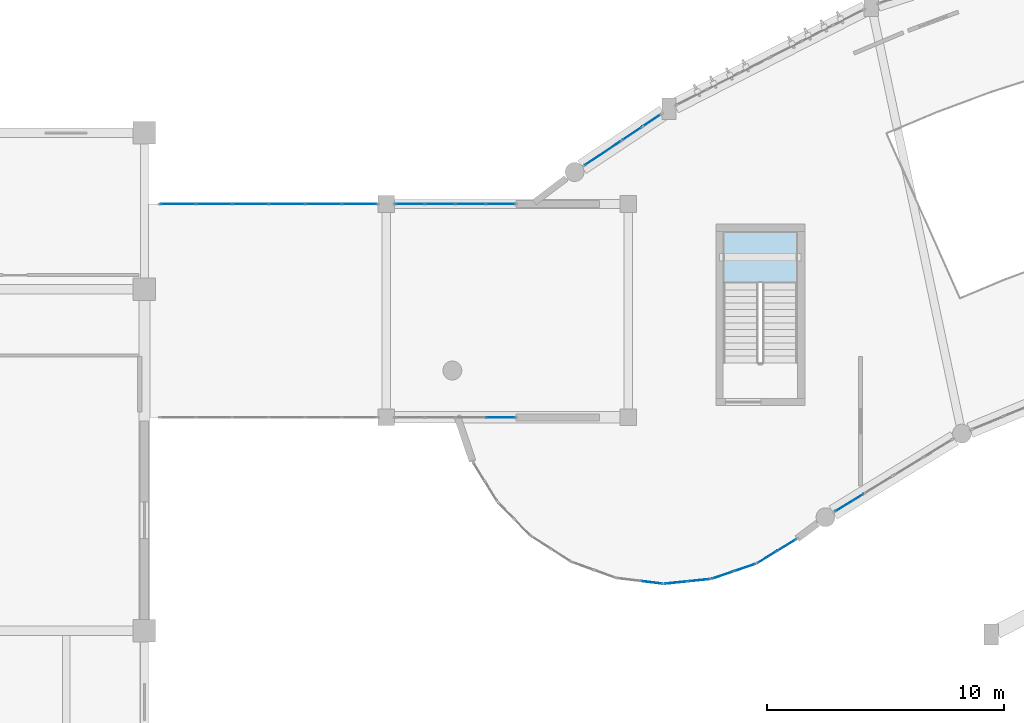
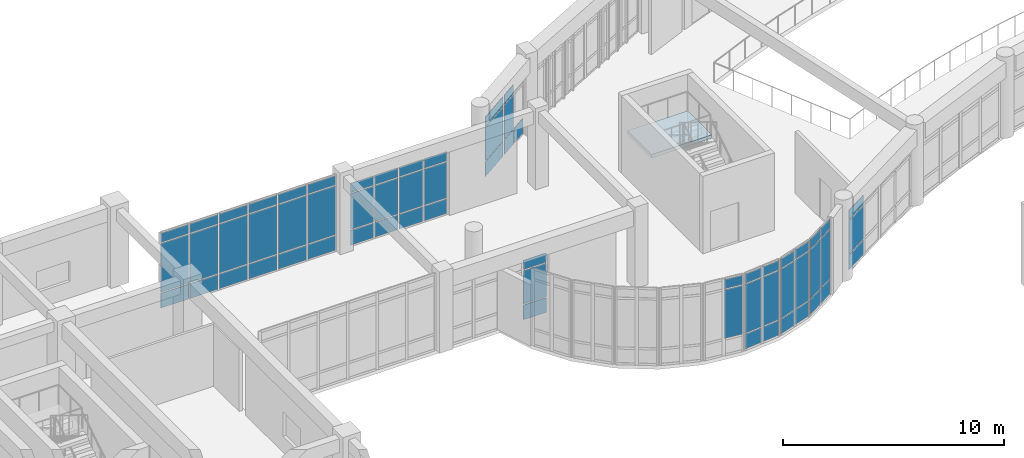
# One storey, part 33 of 57: 63 plates, 1 slab, 11 elements without a shape of their own.
"""IFC4 building model written with IfcOpenShell, lengths in metres."""

from ifc_helpers import new_model, si_unit, direction, frame, origin, origin_2d, place, context, subcontext, project, spatial, polyline, rectangle, outline, extrude, material, layer, layer_set, type_object, element, aggregate, save


model = new_model("IFC4")

# Units and contexts
model_context = context("Model", 3, precision=1e-05, world=origin(), true_north=direction((0.0, 1.0)))
body_context = subcontext(model_context, "Body", "Model", "MODEL_VIEW")
ifc_project = project(units=[si_unit("LENGTHUNIT", "METRE"), si_unit("AREAUNIT", "SQUARE_METRE"), si_unit("VOLUMEUNIT", "CUBIC_METRE"), si_unit("PLANEANGLEUNIT", "RADIAN"), si_unit("MASSUNIT", "GRAM", prefix="KILO")], contexts=[model_context])

# Site, building, storey
site_placement = place(None, origin())
site = spatial("IfcSite", under=ifc_project, at=site_placement, CompositionType="ELEMENT")
building_placement = place(site_placement, origin())
building = spatial("IfcBuilding", under=site, at=building_placement, Name="Miralva Faculty of Natural Sciences", CompositionType="ELEMENT")
storey_placement = place(building_placement, frame((0.0, 0.0, 15.0)))
storey = spatial("IfcBuildingStorey", under=building, at=storey_placement, Name="L03", CompositionType="ELEMENT", Elevation=15.0)

# Curtain wall, plates
ifc_material_1 = material(Name="Laminated solar-control glass", Category="glass")
ifc_layer_1 = layer(ifc_material_1, 0.179931640625, Name="CW-ARC-L03")
ifc_layer_set_1 = layer_set([ifc_layer_1], Name="Laminated solar-control glass")
curtain_wall_type_1 = type_object("IfcCurtainWallType", Name="CW-ARC-L03", PredefinedType="USERDEFINED", material=ifc_layer_set_1)
curtain_wall_1_placement = place(storey_placement, origin())
curtain_wall_1 = element("IfcCurtainWall", 1, at=curtain_wall_1_placement, inside=storey, type_object=curtain_wall_type_1, Name="Curtain wall CW-03 L03-109", ObjectType="UNITISED CURTAIN WALL", PredefinedType="USERDEFINED")
ifc_layer_2 = layer(ifc_material_1, 0.028076171875, Name="PNL-P01")
ifc_layer_set_2 = layer_set([ifc_layer_2], Name="Laminated solar-control glass")
plate_type = type_object("IfcPlateType", Name="PNL-P01", PredefinedType="CURTAIN_PANEL", material=ifc_layer_set_2)
plate_1_placement = place(storey_placement, frame((65.72998046875, 14.403564453125, 0.06494140625), z_axis=(0.0, 0.0, 1.0), x_axis=(0.852640729642, 0.522497642249, 0.0)))
plate_1 = element("IfcPlate", 2, at=plate_1_placement, type_object=plate_type, Name="CW-03 panel 1.1", PredefinedType="CURTAIN_PANEL", context=body_context, shape_type="SweptSolid", body=[
    extrude(rectangle(XDim=1.376953125, YDim=0.028076171875, at=origin_2d()), origin(), (0.0, 0.0, 1.0), 0.802490234375),
])
plate_2_placement = place(storey_placement, frame((65.72998046875, 14.403564453125, 0.9326171875), z_axis=(0.0, 0.0, 1.0), x_axis=(0.852640729642, 0.522497642249, 0.0)))
plate_2 = element("IfcPlate", 3, at=plate_2_placement, type_object=plate_type, Name="CW-03 panel 1.2", PredefinedType="CURTAIN_PANEL", context=body_context, shape_type="SweptSolid", body=[
    extrude(rectangle(XDim=1.376953125, YDim=0.028076171875, at=origin_2d()), origin(), (0.0, 0.0, 1.0), 1.840087890625),
])
plate_3_placement = place(storey_placement, frame((65.72998046875, 14.403564453125, 2.837646484375), z_axis=(0.0, 0.0, 1.0), x_axis=(0.852640729642, 0.522497642249, 0.0)))
plate_3 = element("IfcPlate", 4, at=plate_3_placement, type_object=plate_type, Name="CW-03 panel 1.3", PredefinedType="CURTAIN_PANEL", context=body_context, shape_type="SweptSolid", body=[
    extrude(rectangle(XDim=1.376953125, YDim=0.028076171875, at=origin_2d()), origin(), (0.0, 0.0, 1.0), 0.50244140625),
])
aggregate(curtain_wall_1, [plate_1, plate_2, plate_3])

curtain_wall_2_placement = place(storey_placement, origin())
curtain_wall_2 = element("IfcCurtainWall", 5, at=curtain_wall_2_placement, inside=storey, type_object=curtain_wall_type_1, Name="Curtain wall CW-03 L03-125", ObjectType="UNITISED CURTAIN WALL", PredefinedType="USERDEFINED")
plate_4_placement = place(storey_placement, frame((55.333984375, 29.14453125, 0.06005859375), z_axis=(0.0, 0.0, 1.0), x_axis=(0.831483840844, 0.555548937913, 0.0)))
plate_4 = element("IfcPlate", 6, at=plate_4_placement, type_object=plate_type, Name="CW-03 panel 1.1", PredefinedType="CURTAIN_PANEL", context=body_context, shape_type="SweptSolid", body=[
    extrude(rectangle(XDim=1.7998046875, YDim=0.028076171875, at=origin_2d()), origin(), (0.0, 0.0, 1.0), 0.81005859375),
])
plate_5_placement = place(storey_placement, frame((55.333984375, 29.14453125, 0.93017578125), z_axis=(0.0, 0.0, 1.0), x_axis=(0.831483840844, 0.555548937913, 0.0)))
plate_5 = element("IfcPlate", 7, at=plate_5_placement, type_object=plate_type, Name="CW-03 panel 1.2", PredefinedType="CURTAIN_PANEL", context=body_context, shape_type="SweptSolid", body=[
    extrude(rectangle(XDim=1.7998046875, YDim=0.028076171875, at=origin_2d()), origin(), (0.0, 0.0, 1.0), 1.844970703125),
])
plate_6_placement = place(storey_placement, frame((55.333984375, 29.14453125, 2.8349609375), z_axis=(0.0, 0.0, 1.0), x_axis=(0.831483840844, 0.555548937913, 0.0)))
plate_6 = element("IfcPlate", 8, at=plate_6_placement, type_object=plate_type, Name="CW-03 panel 1.3", PredefinedType="CURTAIN_PANEL", context=body_context, shape_type="SweptSolid", body=[
    extrude(rectangle(XDim=1.7998046875, YDim=0.028076171875, at=origin_2d()), origin(), (0.0, 0.0, 1.0), 0.510009765625),
])
aggregate(curtain_wall_2, [plate_4, plate_5, plate_6])

curtain_wall_3_placement = place(storey_placement, origin())
curtain_wall_3 = element("IfcCurtainWall", 9, at=curtain_wall_3_placement, inside=storey, type_object=curtain_wall_type_1, Name="Curtain wall CW-03 L03-126", ObjectType="UNITISED CURTAIN WALL", PredefinedType="USERDEFINED")
plate_7_placement = place(storey_placement, frame((56.57275390625, 29.97216796875, 0.06005859375), z_axis=(0.0, 0.0, 1.0), x_axis=(0.831458377074, 0.55558704736, 0.0)))
plate_7 = element("IfcPlate", 10, at=plate_7_placement, type_object=plate_type, Name="CW-03 panel 1.1", PredefinedType="CURTAIN_PANEL", context=body_context, shape_type="SweptSolid", body=[
    extrude(rectangle(XDim=0.929931640625, YDim=0.028076171875, at=origin_2d()), origin(), (0.0, 0.0, 1.0), 0.81005859375),
])
plate_8_placement = place(storey_placement, frame((56.57275390625, 29.97216796875, 0.93017578125), z_axis=(0.0, 0.0, 1.0), x_axis=(0.831458377074, 0.55558704736, 0.0)))
plate_8 = element("IfcPlate", 11, at=plate_8_placement, type_object=plate_type, Name="CW-03 panel 1.2", PredefinedType="CURTAIN_PANEL", context=body_context, shape_type="SweptSolid", body=[
    extrude(rectangle(XDim=0.929931640625, YDim=0.028076171875, at=origin_2d()), origin(), (0.0, 0.0, 1.0), 1.844970703125),
])
plate_9_placement = place(storey_placement, frame((56.57275390625, 29.97216796875, 2.8349609375), z_axis=(0.0, 0.0, 1.0), x_axis=(0.831458377074, 0.55558704736, 0.0)))
plate_9 = element("IfcPlate", 12, at=plate_9_placement, type_object=plate_type, Name="CW-03 panel 1.3", PredefinedType="CURTAIN_PANEL", context=body_context, shape_type="SweptSolid", body=[
    extrude(rectangle(XDim=0.929931640625, YDim=0.028076171875, at=origin_2d()), origin(), (0.0, 0.0, 1.0), 0.510009765625),
])
plate_10_placement = place(storey_placement, frame((57.400146484375, 30.52490234375, 0.06005859375), z_axis=(0.0, 0.0, 1.0), x_axis=(0.831458377074, 0.55558704736, 0.0)))
plate_10 = element("IfcPlate", 13, at=plate_10_placement, type_object=plate_type, Name="CW-03 panel 2.1", PredefinedType="CURTAIN_PANEL", context=body_context, shape_type="SweptSolid", body=[
    extrude(rectangle(XDim=0.929931640625, YDim=0.028076171875, at=origin_2d()), origin(), (0.0, 0.0, 1.0), 0.81005859375),
])
aggregate(curtain_wall_3, [plate_7, plate_8, plate_9, plate_10])

ifc_layer_3 = layer(ifc_material_1, 0.179931640625, Name="CW-RND-L03")
ifc_layer_set_3 = layer_set([ifc_layer_3], Name="Laminated solar-control glass")
curtain_wall_type_2 = type_object("IfcCurtainWallType", Name="CW-RND-L03", PredefinedType="USERDEFINED", material=ifc_layer_set_3)
curtain_wall_4_placement = place(storey_placement, origin())
curtain_wall_4 = element("IfcCurtainWall", 14, at=curtain_wall_4_placement, inside=storey, type_object=curtain_wall_type_2, Name="Curtain wall CW-06 L03-141", ObjectType="UNITISED CURTAIN WALL", PredefinedType="USERDEFINED")
plate_11_placement = place(storey_placement, frame((62.253662109375, 12.102294921875, 0.06005859375), z_axis=(0.0, 0.0, 1.0), x_axis=(0.851994617353, 0.523550543884, 0.0)))
plate_11 = element("IfcPlate", 15, at=plate_11_placement, type_object=plate_type, Name="CW-06 panel 1.1", PredefinedType="CURTAIN_PANEL", context=body_context, shape_type="SweptSolid", body=[
    extrude(rectangle(XDim=0.91259765625, YDim=0.028076171875, at=origin_2d()), origin(), (0.0, 0.0, 1.0), 0.81005859375),
])
plate_12_placement = place(storey_placement, frame((62.253662109375, 12.102294921875, 0.929931640625), z_axis=(0.0, 0.0, 1.0), x_axis=(0.851994617353, 0.523550543884, 0.0)))
plate_12 = element("IfcPlate", 16, at=plate_12_placement, type_object=plate_type, Name="CW-06 panel 1.2", PredefinedType="CURTAIN_PANEL", context=body_context, shape_type="SweptSolid", body=[
    extrude(rectangle(XDim=0.91259765625, YDim=0.028076171875, at=origin_2d()), origin(), (0.0, 0.0, 1.0), 2.68994140625),
])
plate_13_placement = place(storey_placement, frame((62.253662109375, 12.102294921875, 3.68017578125), z_axis=(0.0, 0.0, 1.0), x_axis=(0.851994617353, 0.523550543884, 0.0)))
plate_13 = element("IfcPlate", 17, at=plate_13_placement, type_object=plate_type, Name="CW-06 panel 1.3", PredefinedType="CURTAIN_PANEL", context=body_context, shape_type="SweptSolid", body=[
    extrude(rectangle(XDim=0.91259765625, YDim=0.028076171875, at=origin_2d()), origin(), (0.0, 0.0, 1.0), 0.510009765625),
])
plate_14_placement = place(storey_placement, frame((63.086669921875, 12.6142578125, 0.06005859375), z_axis=(0.0, 0.0, 1.0), x_axis=(0.851994617353, 0.523550543884, 0.0)))
plate_14 = element("IfcPlate", 18, at=plate_14_placement, type_object=plate_type, Name="CW-06 panel 2.1", PredefinedType="CURTAIN_PANEL", context=body_context, shape_type="SweptSolid", body=[
    extrude(rectangle(XDim=0.91259765625, YDim=0.028076171875, at=origin_2d()), origin(), (0.0, 0.0, 1.0), 0.81005859375),
])
plate_15_placement = place(storey_placement, frame((63.086669921875, 12.6142578125, 0.929931640625), z_axis=(0.0, 0.0, 1.0), x_axis=(0.851994617353, 0.523550543884, 0.0)))
plate_15 = element("IfcPlate", 19, at=plate_15_placement, type_object=plate_type, Name="CW-06 panel 2.2", PredefinedType="CURTAIN_PANEL", context=body_context, shape_type="SweptSolid", body=[
    extrude(rectangle(XDim=0.91259765625, YDim=0.028076171875, at=origin_2d()), origin(), (0.0, 0.0, 1.0), 2.68994140625),
])
plate_16_placement = place(storey_placement, frame((63.086669921875, 12.6142578125, 3.68017578125), z_axis=(0.0, 0.0, 1.0), x_axis=(0.851994617353, 0.523550543884, 0.0)))
plate_16 = element("IfcPlate", 20, at=plate_16_placement, type_object=plate_type, Name="CW-06 panel 2.3", PredefinedType="CURTAIN_PANEL", context=body_context, shape_type="SweptSolid", body=[
    extrude(rectangle(XDim=0.91259765625, YDim=0.028076171875, at=origin_2d()), origin(), (0.0, 0.0, 1.0), 0.510009765625),
])
aggregate(curtain_wall_4, [plate_11, plate_12, plate_13, plate_14, plate_15, plate_16])

curtain_wall_5_placement = place(storey_placement, origin())
curtain_wall_5 = element("IfcCurtainWall", 21, at=curtain_wall_5_placement, inside=storey, type_object=curtain_wall_type_2, Name="Curtain wall CW-06 L03-142", ObjectType="UNITISED CURTAIN WALL", PredefinedType="USERDEFINED")
plate_17_placement = place(storey_placement, frame((60.39453125, 11.349853515625, 0.06005859375), z_axis=(0.0, 0.0, 1.0), x_axis=(0.947132688672, 0.320842126361, 0.0)))
plate_17 = element("IfcPlate", 22, at=plate_17_placement, type_object=plate_type, Name="CW-06 panel 1.1", PredefinedType="CURTAIN_PANEL", context=body_context, shape_type="SweptSolid", body=[
    extrude(rectangle(XDim=0.91259765625, YDim=0.028076171875, at=origin_2d()), origin(), (0.0, 0.0, 1.0), 0.81005859375),
])
plate_18_placement = place(storey_placement, frame((60.39453125, 11.349853515625, 0.929931640625), z_axis=(0.0, 0.0, 1.0), x_axis=(0.947132688672, 0.320842126361, 0.0)))
plate_18 = element("IfcPlate", 23, at=plate_18_placement, type_object=plate_type, Name="CW-06 panel 1.2", PredefinedType="CURTAIN_PANEL", context=body_context, shape_type="SweptSolid", body=[
    extrude(rectangle(XDim=0.91259765625, YDim=0.028076171875, at=origin_2d()), origin(), (0.0, 0.0, 1.0), 2.68994140625),
])
plate_19_placement = place(storey_placement, frame((60.39453125, 11.349853515625, 3.68017578125), z_axis=(0.0, 0.0, 1.0), x_axis=(0.947132688672, 0.320842126361, 0.0)))
plate_19 = element("IfcPlate", 24, at=plate_19_placement, type_object=plate_type, Name="CW-06 panel 1.3", PredefinedType="CURTAIN_PANEL", context=body_context, shape_type="SweptSolid", body=[
    extrude(rectangle(XDim=0.91259765625, YDim=0.028076171875, at=origin_2d()), origin(), (0.0, 0.0, 1.0), 0.510009765625),
])
plate_20_placement = place(storey_placement, frame((61.3203125, 11.66357421875, 0.06005859375), z_axis=(0.0, 0.0, 1.0), x_axis=(0.947132688672, 0.320842126361, 0.0)))
plate_20 = element("IfcPlate", 25, at=plate_20_placement, type_object=plate_type, Name="CW-06 panel 2.1", PredefinedType="CURTAIN_PANEL", context=body_context, shape_type="SweptSolid", body=[
    extrude(rectangle(XDim=0.91259765625, YDim=0.028076171875, at=origin_2d()), origin(), (0.0, 0.0, 1.0), 0.81005859375),
])
plate_21_placement = place(storey_placement, frame((61.3203125, 11.66357421875, 0.929931640625), z_axis=(0.0, 0.0, 1.0), x_axis=(0.947132688672, 0.320842126361, 0.0)))
plate_21 = element("IfcPlate", 26, at=plate_21_placement, type_object=plate_type, Name="CW-06 panel 2.2", PredefinedType="CURTAIN_PANEL", context=body_context, shape_type="SweptSolid", body=[
    extrude(rectangle(XDim=0.91259765625, YDim=0.028076171875, at=origin_2d()), origin(), (0.0, 0.0, 1.0), 2.68994140625),
])
plate_22_placement = place(storey_placement, frame((61.3203125, 11.66357421875, 3.68017578125), z_axis=(0.0, 0.0, 1.0), x_axis=(0.947132688672, 0.320842126361, 0.0)))
plate_22 = element("IfcPlate", 27, at=plate_22_placement, type_object=plate_type, Name="CW-06 panel 2.3", PredefinedType="CURTAIN_PANEL", context=body_context, shape_type="SweptSolid", body=[
    extrude(rectangle(XDim=0.91259765625, YDim=0.028076171875, at=origin_2d()), origin(), (0.0, 0.0, 1.0), 0.510009765625),
])
aggregate(curtain_wall_5, [plate_17, plate_18, plate_19, plate_20, plate_21, plate_22])

curtain_wall_6_placement = place(storey_placement, origin())
curtain_wall_6 = element("IfcCurtainWall", 28, at=curtain_wall_6_placement, inside=storey, type_object=curtain_wall_type_2, Name="Curtain wall CW-06 L03-143", ObjectType="UNITISED CURTAIN WALL", PredefinedType="USERDEFINED")
plate_23_placement = place(storey_placement, frame((58.41455078125, 11.0302734375, 0.06005859375), z_axis=(0.0, 0.0, 1.0), x_axis=(0.994778604482, 0.102056494477, 0.0)))
plate_23 = element("IfcPlate", 29, at=plate_23_placement, type_object=plate_type, Name="CW-06 panel 1.1", PredefinedType="CURTAIN_PANEL", context=body_context, shape_type="SweptSolid", body=[
    extrude(rectangle(XDim=0.912841796875, YDim=0.028076171875, at=origin_2d()), origin(), (0.0, 0.0, 1.0), 0.81005859375),
])
plate_24_placement = place(storey_placement, frame((58.41455078125, 11.0302734375, 0.929931640625), z_axis=(0.0, 0.0, 1.0), x_axis=(0.994778604482, 0.102056494477, 0.0)))
plate_24 = element("IfcPlate", 30, at=plate_24_placement, type_object=plate_type, Name="CW-06 panel 1.2", PredefinedType="CURTAIN_PANEL", context=body_context, shape_type="SweptSolid", body=[
    extrude(rectangle(XDim=0.912841796875, YDim=0.028076171875, at=origin_2d()), origin(), (0.0, 0.0, 1.0), 2.68994140625),
])
plate_25_placement = place(storey_placement, frame((58.41455078125, 11.0302734375, 3.68017578125), z_axis=(0.0, 0.0, 1.0), x_axis=(0.994778604482, 0.102056494477, 0.0)))
plate_25 = element("IfcPlate", 31, at=plate_25_placement, type_object=plate_type, Name="CW-06 panel 1.3", PredefinedType="CURTAIN_PANEL", context=body_context, shape_type="SweptSolid", body=[
    extrude(rectangle(XDim=0.912841796875, YDim=0.028076171875, at=origin_2d()), origin(), (0.0, 0.0, 1.0), 0.510009765625),
])
plate_26_placement = place(storey_placement, frame((59.386962890625, 11.1298828125, 0.06005859375), z_axis=(0.0, 0.0, 1.0), x_axis=(0.994778604482, 0.102056494477, 0.0)))
plate_26 = element("IfcPlate", 32, at=plate_26_placement, type_object=plate_type, Name="CW-06 panel 2.1", PredefinedType="CURTAIN_PANEL", context=body_context, shape_type="SweptSolid", body=[
    extrude(rectangle(XDim=0.912841796875, YDim=0.028076171875, at=origin_2d()), origin(), (0.0, 0.0, 1.0), 0.81005859375),
])
plate_27_placement = place(storey_placement, frame((59.386962890625, 11.1298828125, 0.929931640625), z_axis=(0.0, 0.0, 1.0), x_axis=(0.994778604482, 0.102056494477, 0.0)))
plate_27 = element("IfcPlate", 33, at=plate_27_placement, type_object=plate_type, Name="CW-06 panel 2.2", PredefinedType="CURTAIN_PANEL", context=body_context, shape_type="SweptSolid", body=[
    extrude(rectangle(XDim=0.912841796875, YDim=0.028076171875, at=origin_2d()), origin(), (0.0, 0.0, 1.0), 2.68994140625),
])
plate_28_placement = place(storey_placement, frame((59.386962890625, 11.1298828125, 3.68017578125), z_axis=(0.0, 0.0, 1.0), x_axis=(0.994778604482, 0.102056494477, 0.0)))
plate_28 = element("IfcPlate", 34, at=plate_28_placement, type_object=plate_type, Name="CW-06 panel 2.3", PredefinedType="CURTAIN_PANEL", context=body_context, shape_type="SweptSolid", body=[
    extrude(rectangle(XDim=0.912841796875, YDim=0.028076171875, at=origin_2d()), origin(), (0.0, 0.0, 1.0), 0.510009765625),
])
aggregate(curtain_wall_6, [plate_23, plate_24, plate_25, plate_26, plate_27, plate_28])

curtain_wall_7_placement = place(storey_placement, origin())
curtain_wall_7 = element("IfcCurtainWall", 35, at=curtain_wall_7_placement, inside=storey, type_object=curtain_wall_type_2, Name="Curtain wall CW-06 L03-144", ObjectType="UNITISED CURTAIN WALL", PredefinedType="USERDEFINED")
plate_29_placement = place(storey_placement, frame((57.38330078125, 11.0400390625, 0.929931640625), z_axis=(0.0, 0.0, 1.0), x_axis=(0.99254734183, -0.121859649701, 0.0)))
plate_29 = element("IfcPlate", 36, at=plate_29_placement, type_object=plate_type, Name="CW-06 panel 2.2", PredefinedType="CURTAIN_PANEL", context=body_context, shape_type="SweptSolid", body=[
    extrude(rectangle(XDim=0.91259765625, YDim=0.028076171875, at=origin_2d()), origin(), (0.0, 0.0, 1.0), 2.68994140625),
])
plate_30_placement = place(storey_placement, frame((57.38330078125, 11.0400390625, 3.68017578125), z_axis=(0.0, 0.0, 1.0), x_axis=(0.99254734183, -0.121859649701, 0.0)))
plate_30 = element("IfcPlate", 37, at=plate_30_placement, type_object=plate_type, Name="CW-06 panel 2.3", PredefinedType="CURTAIN_PANEL", context=body_context, shape_type="SweptSolid", body=[
    extrude(rectangle(XDim=0.91259765625, YDim=0.028076171875, at=origin_2d()), origin(), (0.0, 0.0, 1.0), 0.510009765625),
])
aggregate(curtain_wall_7, [plate_29, plate_30])

ifc_layer_4 = layer(ifc_material_1, 0.179931640625, Name="CW-COM-L01")
ifc_layer_set_4 = layer_set([ifc_layer_4], Name="Laminated solar-control glass")
curtain_wall_type_3 = type_object("IfcCurtainWallType", Name="CW-COM-L01", PredefinedType="USERDEFINED", material=ifc_layer_set_4)
curtain_wall_8_placement = place(storey_placement, origin())
curtain_wall_8 = element("IfcCurtainWall", 38, at=curtain_wall_8_placement, inside=storey, type_object=curtain_wall_type_3, Name="Curtain wall CW-10 L03-301", ObjectType="UNITISED CURTAIN WALL", PredefinedType="USERDEFINED")
plate_31_placement = place(storey_placement, frame((51.02197265625, 18.0, 0.06005859375), z_axis=(0.0, 0.0, 1.0), x_axis=(1.0, 0.0, 0.0)))
plate_31 = element("IfcPlate", 39, at=plate_31_placement, type_object=plate_type, Name="CW-10 panel 4.1", PredefinedType="CURTAIN_PANEL", context=body_context, shape_type="SweptSolid", body=[
    extrude(rectangle(XDim=1.1962890625, YDim=0.028076171875, at=origin_2d()), origin(), (0.0, 0.0, 1.0), 0.81005859375),
])
plate_32_placement = place(storey_placement, frame((51.02197265625, 18.0, 0.929931640625), z_axis=(0.0, 0.0, 1.0), x_axis=(1.0, 0.0, 0.0)))
plate_32 = element("IfcPlate", 40, at=plate_32_placement, type_object=plate_type, Name="CW-10 panel 4.2", PredefinedType="CURTAIN_PANEL", context=body_context, shape_type="SweptSolid", body=[
    extrude(rectangle(XDim=1.1962890625, YDim=0.028076171875, at=origin_2d()), origin(), (0.0, 0.0, 1.0), 1.8349609375),
])
plate_33_placement = place(storey_placement, frame((51.02197265625, 18.0, 2.8251953125), z_axis=(0.0, 0.0, 1.0), x_axis=(1.0, 0.0, 0.0)))
plate_33 = element("IfcPlate", 41, at=plate_33_placement, type_object=plate_type, Name="CW-10 panel 4.3", PredefinedType="CURTAIN_PANEL", context=body_context, shape_type="SweptSolid", body=[
    extrude(rectangle(XDim=1.1962890625, YDim=0.028076171875, at=origin_2d()), origin(), (0.0, 0.0, 1.0), 0.510009765625),
])
aggregate(curtain_wall_8, [plate_31, plate_32, plate_33])

curtain_wall_9_placement = place(storey_placement, origin())
curtain_wall_9 = element("IfcCurtainWall", 42, at=curtain_wall_9_placement, inside=storey, type_object=curtain_wall_type_3, Name="Curtain wall CW-10 L03-303", ObjectType="UNITISED CURTAIN WALL", PredefinedType="USERDEFINED")
plate_34_placement = place(storey_placement, frame((37.405517578125, 27.0, 0.06005859375), z_axis=(0.0, 0.0, 1.0), x_axis=(1.0, 0.0, 0.0)))
plate_34 = element("IfcPlate", 43, at=plate_34_placement, type_object=plate_type, Name="CW-10 panel 1.1", PredefinedType="CURTAIN_PANEL", context=body_context, shape_type="SweptSolid", body=[
    extrude(rectangle(XDim=1.450927734375, YDim=0.028076171875, at=origin_2d()), origin(), (0.0, 0.0, 1.0), 0.81005859375),
])
plate_35_placement = place(storey_placement, frame((37.405517578125, 27.0, 0.929931640625), z_axis=(0.0, 0.0, 1.0), x_axis=(1.0, 0.0, 0.0)))
plate_35 = element("IfcPlate", 44, at=plate_35_placement, type_object=plate_type, Name="CW-10 panel 1.2", PredefinedType="CURTAIN_PANEL", context=body_context, shape_type="SweptSolid", body=[
    extrude(rectangle(XDim=1.450927734375, YDim=0.028076171875, at=origin_2d()), origin(), (0.0, 0.0, 1.0), 2.68994140625),
])
plate_36_placement = place(storey_placement, frame((37.405517578125, 27.0, 3.68017578125), z_axis=(0.0, 0.0, 1.0), x_axis=(1.0, 0.0, 0.0)))
plate_36 = element("IfcPlate", 45, at=plate_36_placement, type_object=plate_type, Name="CW-10 panel 1.3", PredefinedType="CURTAIN_PANEL", context=body_context, shape_type="SweptSolid", body=[
    extrude(rectangle(XDim=1.450927734375, YDim=0.028076171875, at=origin_2d()), origin(), (0.0, 0.0, 1.0), 0.510009765625),
])
plate_37_placement = place(storey_placement, frame((38.93115234375, 27.0, 0.06005859375), z_axis=(0.0, 0.0, 1.0), x_axis=(1.0, 0.0, 0.0)))
plate_37 = element("IfcPlate", 46, at=plate_37_placement, type_object=plate_type, Name="CW-10 panel 2.1", PredefinedType="CURTAIN_PANEL", context=body_context, shape_type="SweptSolid", body=[
    extrude(rectangle(XDim=1.480712890625, YDim=0.028076171875, at=origin_2d()), origin(), (0.0, 0.0, 1.0), 0.81005859375),
])
plate_38_placement = place(storey_placement, frame((38.93115234375, 27.0, 0.929931640625), z_axis=(0.0, 0.0, 1.0), x_axis=(1.0, 0.0, 0.0)))
plate_38 = element("IfcPlate", 47, at=plate_38_placement, type_object=plate_type, Name="CW-10 panel 2.2", PredefinedType="CURTAIN_PANEL", context=body_context, shape_type="SweptSolid", body=[
    extrude(rectangle(XDim=1.480712890625, YDim=0.028076171875, at=origin_2d()), origin(), (0.0, 0.0, 1.0), 2.68994140625),
])
plate_39_placement = place(storey_placement, frame((38.93115234375, 27.0, 3.68017578125), z_axis=(0.0, 0.0, 1.0), x_axis=(1.0, 0.0, 0.0)))
plate_39 = element("IfcPlate", 48, at=plate_39_placement, type_object=plate_type, Name="CW-10 panel 2.3", PredefinedType="CURTAIN_PANEL", context=body_context, shape_type="SweptSolid", body=[
    extrude(rectangle(XDim=1.480712890625, YDim=0.028076171875, at=origin_2d()), origin(), (0.0, 0.0, 1.0), 0.510009765625),
])
plate_40_placement = place(storey_placement, frame((40.47216796875, 27.0, 0.06005859375), z_axis=(0.0, 0.0, 1.0), x_axis=(1.0, 0.0, 0.0)))
plate_40 = element("IfcPlate", 49, at=plate_40_placement, type_object=plate_type, Name="CW-10 panel 3.1", PredefinedType="CURTAIN_PANEL", context=body_context, shape_type="SweptSolid", body=[
    extrude(rectangle(XDim=1.480712890625, YDim=0.028076171875, at=origin_2d()), origin(), (0.0, 0.0, 1.0), 0.81005859375),
])
plate_41_placement = place(storey_placement, frame((40.47216796875, 27.0, 0.929931640625), z_axis=(0.0, 0.0, 1.0), x_axis=(1.0, 0.0, 0.0)))
plate_41 = element("IfcPlate", 50, at=plate_41_placement, type_object=plate_type, Name="CW-10 panel 3.2", PredefinedType="CURTAIN_PANEL", context=body_context, shape_type="SweptSolid", body=[
    extrude(rectangle(XDim=1.480712890625, YDim=0.028076171875, at=origin_2d()), origin(), (0.0, 0.0, 1.0), 2.68994140625),
])
plate_42_placement = place(storey_placement, frame((40.47216796875, 27.0, 3.68017578125), z_axis=(0.0, 0.0, 1.0), x_axis=(1.0, 0.0, 0.0)))
plate_42 = element("IfcPlate", 51, at=plate_42_placement, type_object=plate_type, Name="CW-10 panel 3.3", PredefinedType="CURTAIN_PANEL", context=body_context, shape_type="SweptSolid", body=[
    extrude(rectangle(XDim=1.480712890625, YDim=0.028076171875, at=origin_2d()), origin(), (0.0, 0.0, 1.0), 0.510009765625),
])
plate_43_placement = place(storey_placement, frame((42.012939453125, 27.0, 0.06005859375), z_axis=(0.0, 0.0, 1.0), x_axis=(1.0, 0.0, 0.0)))
plate_43 = element("IfcPlate", 52, at=plate_43_placement, type_object=plate_type, Name="CW-10 panel 4.1", PredefinedType="CURTAIN_PANEL", context=body_context, shape_type="SweptSolid", body=[
    extrude(rectangle(XDim=1.480712890625, YDim=0.028076171875, at=origin_2d()), origin(), (0.0, 0.0, 1.0), 0.81005859375),
])
plate_44_placement = place(storey_placement, frame((42.012939453125, 27.0, 0.929931640625), z_axis=(0.0, 0.0, 1.0), x_axis=(1.0, 0.0, 0.0)))
plate_44 = element("IfcPlate", 53, at=plate_44_placement, type_object=plate_type, Name="CW-10 panel 4.2", PredefinedType="CURTAIN_PANEL", context=body_context, shape_type="SweptSolid", body=[
    extrude(rectangle(XDim=1.480712890625, YDim=0.028076171875, at=origin_2d()), origin(), (0.0, 0.0, 1.0), 2.68994140625),
])
plate_45_placement = place(storey_placement, frame((42.012939453125, 27.0, 3.68017578125), z_axis=(0.0, 0.0, 1.0), x_axis=(1.0, 0.0, 0.0)))
plate_45 = element("IfcPlate", 54, at=plate_45_placement, type_object=plate_type, Name="CW-10 panel 4.3", PredefinedType="CURTAIN_PANEL", context=body_context, shape_type="SweptSolid", body=[
    extrude(rectangle(XDim=1.480712890625, YDim=0.028076171875, at=origin_2d()), origin(), (0.0, 0.0, 1.0), 0.510009765625),
])
plate_46_placement = place(storey_placement, frame((43.5537109375, 27.0, 0.06005859375), z_axis=(0.0, 0.0, 1.0), x_axis=(1.0, 0.0, 0.0)))
plate_46 = element("IfcPlate", 55, at=plate_46_placement, type_object=plate_type, Name="CW-10 panel 5.1", PredefinedType="CURTAIN_PANEL", context=body_context, shape_type="SweptSolid", body=[
    extrude(rectangle(XDim=1.480712890625, YDim=0.028076171875, at=origin_2d()), origin(), (0.0, 0.0, 1.0), 0.81005859375),
])
plate_47_placement = place(storey_placement, frame((43.5537109375, 27.0, 0.929931640625), z_axis=(0.0, 0.0, 1.0), x_axis=(1.0, 0.0, 0.0)))
plate_47 = element("IfcPlate", 56, at=plate_47_placement, type_object=plate_type, Name="CW-10 panel 5.2", PredefinedType="CURTAIN_PANEL", context=body_context, shape_type="SweptSolid", body=[
    extrude(rectangle(XDim=1.480712890625, YDim=0.028076171875, at=origin_2d()), origin(), (0.0, 0.0, 1.0), 2.68994140625),
])
plate_48_placement = place(storey_placement, frame((43.5537109375, 27.0, 3.68017578125), z_axis=(0.0, 0.0, 1.0), x_axis=(1.0, 0.0, 0.0)))
plate_48 = element("IfcPlate", 57, at=plate_48_placement, type_object=plate_type, Name="CW-10 panel 5.3", PredefinedType="CURTAIN_PANEL", context=body_context, shape_type="SweptSolid", body=[
    extrude(rectangle(XDim=1.480712890625, YDim=0.028076171875, at=origin_2d()), origin(), (0.0, 0.0, 1.0), 0.510009765625),
])
plate_49_placement = place(storey_placement, frame((45.07958984375, 27.0, 0.06005859375), z_axis=(0.0, 0.0, 1.0), x_axis=(1.0, 0.0, 0.0)))
plate_49 = element("IfcPlate", 58, at=plate_49_placement, type_object=plate_type, Name="CW-10 panel 6.1", PredefinedType="CURTAIN_PANEL", context=body_context, shape_type="SweptSolid", body=[
    extrude(rectangle(XDim=1.450927734375, YDim=0.028076171875, at=origin_2d()), origin(), (0.0, 0.0, 1.0), 0.81005859375),
])
plate_50_placement = place(storey_placement, frame((45.07958984375, 27.0, 0.929931640625), z_axis=(0.0, 0.0, 1.0), x_axis=(1.0, 0.0, 0.0)))
plate_50 = element("IfcPlate", 59, at=plate_50_placement, type_object=plate_type, Name="CW-10 panel 6.2", PredefinedType="CURTAIN_PANEL", context=body_context, shape_type="SweptSolid", body=[
    extrude(rectangle(XDim=1.450927734375, YDim=0.028076171875, at=origin_2d()), origin(), (0.0, 0.0, 1.0), 2.68994140625),
])
plate_51_placement = place(storey_placement, frame((45.07958984375, 27.0, 3.68017578125), z_axis=(0.0, 0.0, 1.0), x_axis=(1.0, 0.0, 0.0)))
plate_51 = element("IfcPlate", 60, at=plate_51_placement, type_object=plate_type, Name="CW-10 panel 6.3", PredefinedType="CURTAIN_PANEL", context=body_context, shape_type="SweptSolid", body=[
    extrude(rectangle(XDim=1.450927734375, YDim=0.028076171875, at=origin_2d()), origin(), (0.0, 0.0, 1.0), 0.510009765625),
])
aggregate(curtain_wall_9, [plate_34, plate_35, plate_36, plate_37, plate_38, plate_39, plate_40, plate_41, plate_42, plate_43, plate_44, plate_45, plate_46, plate_47, plate_48, plate_49, plate_50, plate_51])

curtain_wall_10_placement = place(storey_placement, origin())
curtain_wall_10 = element("IfcCurtainWall", 61, at=curtain_wall_10_placement, inside=storey, type_object=curtain_wall_type_3, Name="Curtain wall CW-10 L03-304", ObjectType="UNITISED CURTAIN WALL", PredefinedType="USERDEFINED")
plate_52_placement = place(storey_placement, frame((47.193115234375, 27.0, 0.06005859375), z_axis=(0.0, 0.0, 1.0), x_axis=(1.0, 0.0, 0.0)))
plate_52 = element("IfcPlate", 62, at=plate_52_placement, type_object=plate_type, Name="CW-10 panel 1.1", PredefinedType="CURTAIN_PANEL", context=body_context, shape_type="SweptSolid", body=[
    extrude(rectangle(XDim=1.1962890625, YDim=0.028076171875, at=origin_2d()), origin(), (0.0, 0.0, 1.0), 0.81005859375),
])
plate_53_placement = place(storey_placement, frame((47.193115234375, 27.0, 0.929931640625), z_axis=(0.0, 0.0, 1.0), x_axis=(1.0, 0.0, 0.0)))
plate_53 = element("IfcPlate", 63, at=plate_53_placement, type_object=plate_type, Name="CW-10 panel 1.2", PredefinedType="CURTAIN_PANEL", context=body_context, shape_type="SweptSolid", body=[
    extrude(rectangle(XDim=1.1962890625, YDim=0.028076171875, at=origin_2d()), origin(), (0.0, 0.0, 1.0), 1.97509765625),
])
plate_54_placement = place(storey_placement, frame((47.193115234375, 27.0, 2.96484375), z_axis=(0.0, 0.0, 1.0), x_axis=(1.0, 0.0, 0.0)))
plate_54 = element("IfcPlate", 64, at=plate_54_placement, type_object=plate_type, Name="CW-10 panel 1.3", PredefinedType="CURTAIN_PANEL", context=body_context, shape_type="SweptSolid", body=[
    extrude(rectangle(XDim=1.1962890625, YDim=0.028076171875, at=origin_2d()), origin(), (0.0, 0.0, 1.0), 0.510009765625),
])
plate_55_placement = place(storey_placement, frame((48.46435546875, 27.0, 0.06005859375), z_axis=(0.0, 0.0, 1.0), x_axis=(1.0, 0.0, 0.0)))
plate_55 = element("IfcPlate", 65, at=plate_55_placement, type_object=plate_type, Name="CW-10 panel 2.1", PredefinedType="CURTAIN_PANEL", context=body_context, shape_type="SweptSolid", body=[
    extrude(rectangle(XDim=1.226318359375, YDim=0.028076171875, at=origin_2d()), origin(), (0.0, 0.0, 1.0), 0.81005859375),
])
plate_56_placement = place(storey_placement, frame((48.46435546875, 27.0, 0.929931640625), z_axis=(0.0, 0.0, 1.0), x_axis=(1.0, 0.0, 0.0)))
plate_56 = element("IfcPlate", 66, at=plate_56_placement, type_object=plate_type, Name="CW-10 panel 2.2", PredefinedType="CURTAIN_PANEL", context=body_context, shape_type="SweptSolid", body=[
    extrude(rectangle(XDim=1.226318359375, YDim=0.028076171875, at=origin_2d()), origin(), (0.0, 0.0, 1.0), 1.97509765625),
])
plate_57_placement = place(storey_placement, frame((48.46435546875, 27.0, 2.96484375), z_axis=(0.0, 0.0, 1.0), x_axis=(1.0, 0.0, 0.0)))
plate_57 = element("IfcPlate", 67, at=plate_57_placement, type_object=plate_type, Name="CW-10 panel 2.3", PredefinedType="CURTAIN_PANEL", context=body_context, shape_type="SweptSolid", body=[
    extrude(rectangle(XDim=1.226318359375, YDim=0.028076171875, at=origin_2d()), origin(), (0.0, 0.0, 1.0), 0.510009765625),
])
plate_58_placement = place(storey_placement, frame((49.750732421875, 27.0, 0.06005859375), z_axis=(0.0, 0.0, 1.0), x_axis=(1.0, 0.0, 0.0)))
plate_58 = element("IfcPlate", 68, at=plate_58_placement, type_object=plate_type, Name="CW-10 panel 3.1", PredefinedType="CURTAIN_PANEL", context=body_context, shape_type="SweptSolid", body=[
    extrude(rectangle(XDim=1.226318359375, YDim=0.028076171875, at=origin_2d()), origin(), (0.0, 0.0, 1.0), 0.81005859375),
])
plate_59_placement = place(storey_placement, frame((49.750732421875, 27.0, 0.929931640625), z_axis=(0.0, 0.0, 1.0), x_axis=(1.0, 0.0, 0.0)))
plate_59 = element("IfcPlate", 69, at=plate_59_placement, type_object=plate_type, Name="CW-10 panel 3.2", PredefinedType="CURTAIN_PANEL", context=body_context, shape_type="SweptSolid", body=[
    extrude(rectangle(XDim=1.226318359375, YDim=0.028076171875, at=origin_2d()), origin(), (0.0, 0.0, 1.0), 1.97509765625),
])
plate_60_placement = place(storey_placement, frame((49.750732421875, 27.0, 2.96484375), z_axis=(0.0, 0.0, 1.0), x_axis=(1.0, 0.0, 0.0)))
plate_60 = element("IfcPlate", 70, at=plate_60_placement, type_object=plate_type, Name="CW-10 panel 3.3", PredefinedType="CURTAIN_PANEL", context=body_context, shape_type="SweptSolid", body=[
    extrude(rectangle(XDim=1.226318359375, YDim=0.028076171875, at=origin_2d()), origin(), (0.0, 0.0, 1.0), 0.510009765625),
])
plate_61_placement = place(storey_placement, frame((51.02197265625, 27.0, 0.06005859375), z_axis=(0.0, 0.0, 1.0), x_axis=(1.0, 0.0, 0.0)))
plate_61 = element("IfcPlate", 71, at=plate_61_placement, type_object=plate_type, Name="CW-10 panel 4.1", PredefinedType="CURTAIN_PANEL", context=body_context, shape_type="SweptSolid", body=[
    extrude(rectangle(XDim=1.1962890625, YDim=0.028076171875, at=origin_2d()), origin(), (0.0, 0.0, 1.0), 0.81005859375),
])
plate_62_placement = place(storey_placement, frame((51.02197265625, 27.0, 0.929931640625), z_axis=(0.0, 0.0, 1.0), x_axis=(1.0, 0.0, 0.0)))
plate_62 = element("IfcPlate", 72, at=plate_62_placement, type_object=plate_type, Name="CW-10 panel 4.2", PredefinedType="CURTAIN_PANEL", context=body_context, shape_type="SweptSolid", body=[
    extrude(rectangle(XDim=1.1962890625, YDim=0.028076171875, at=origin_2d()), origin(), (0.0, 0.0, 1.0), 1.97509765625),
])
plate_63_placement = place(storey_placement, frame((51.02197265625, 27.0, 2.96484375), z_axis=(0.0, 0.0, 1.0), x_axis=(1.0, 0.0, 0.0)))
plate_63 = element("IfcPlate", 73, at=plate_63_placement, type_object=plate_type, Name="CW-10 panel 4.3", PredefinedType="CURTAIN_PANEL", context=body_context, shape_type="SweptSolid", body=[
    extrude(rectangle(XDim=1.1962890625, YDim=0.028076171875, at=origin_2d()), origin(), (0.0, 0.0, 1.0), 0.510009765625),
])
aggregate(curtain_wall_10, [plate_52, plate_53, plate_54, plate_55, plate_56, plate_57, plate_58, plate_59, plate_60, plate_61, plate_62, plate_63])

# Stair, slab
ifc_material_2 = material(Name="Concrete C40/50", Category="concrete")
stair_type = type_object("IfcStairType", Name="ST-CORE-450", PredefinedType="HALF_TURN_STAIR", material=ifc_material_2)
stair_placement = place(storey_placement, origin())
stair = element("IfcStair", 74, at=stair_placement, inside=storey, type_object=stair_type, Name="Exit Stair Core C6 (ST-03) L03", PredefinedType="HALF_TURN_STAIR")
ifc_layer_5 = layer(ifc_material_2, 0.18994140625, Name="SL-LD01")
ifc_layer_set_5 = layer_set([ifc_layer_5], Name="Concrete C40/50")
slab_type = type_object("IfcSlabType", Name="SL-LD01", PredefinedType="LANDING", material=ifc_layer_set_5)
slab_placement = place(storey_placement, frame((0.0, 0.0, 2.06005859375)))
slab = element("IfcSlab", 75, at=slab_placement, type_object=slab_type, Name="ST-03 landing 1", PredefinedType="LANDING", context=body_context, shape_type="SweptSolid", body=[
    extrude(outline(polyline([(63.550048828125, 23.659912109375), (63.550048828125, 25.85009765625), (60.39990234375, 25.85009765625), (60.39990234375, 23.659912109375), (63.550048828125, 23.659912109375)])), origin(), (0.0, 0.0, 1.0), 0.18994140625),
])
aggregate(stair, [slab])

save(model, "model.ifc")
